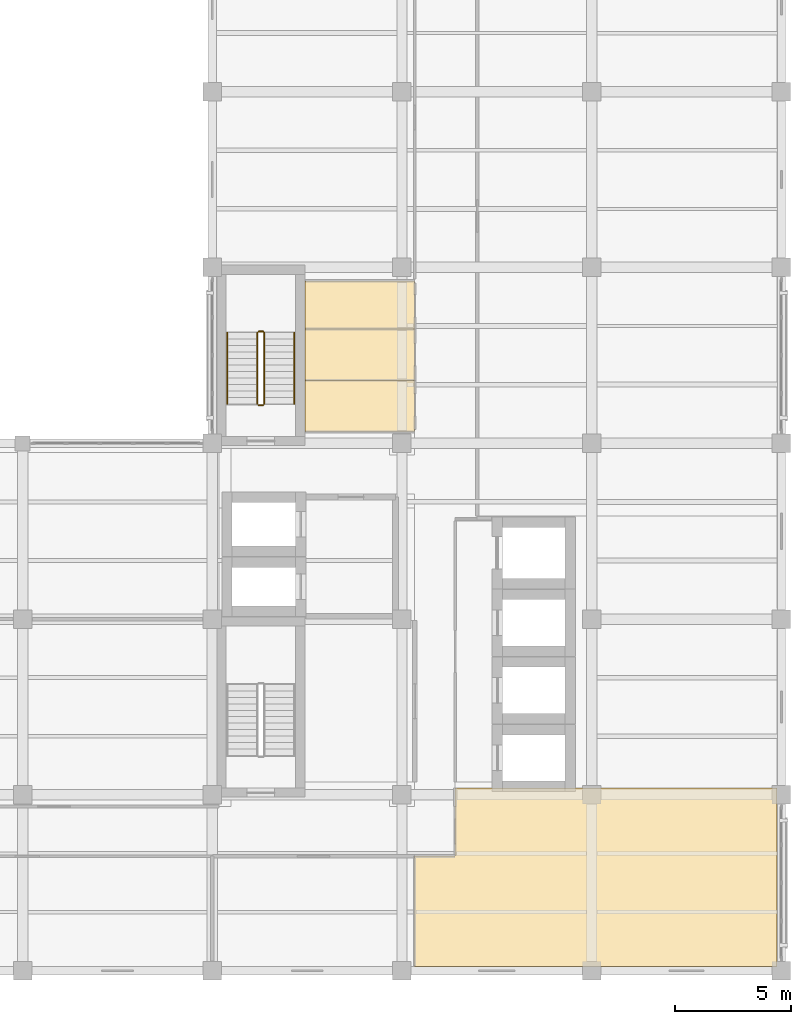
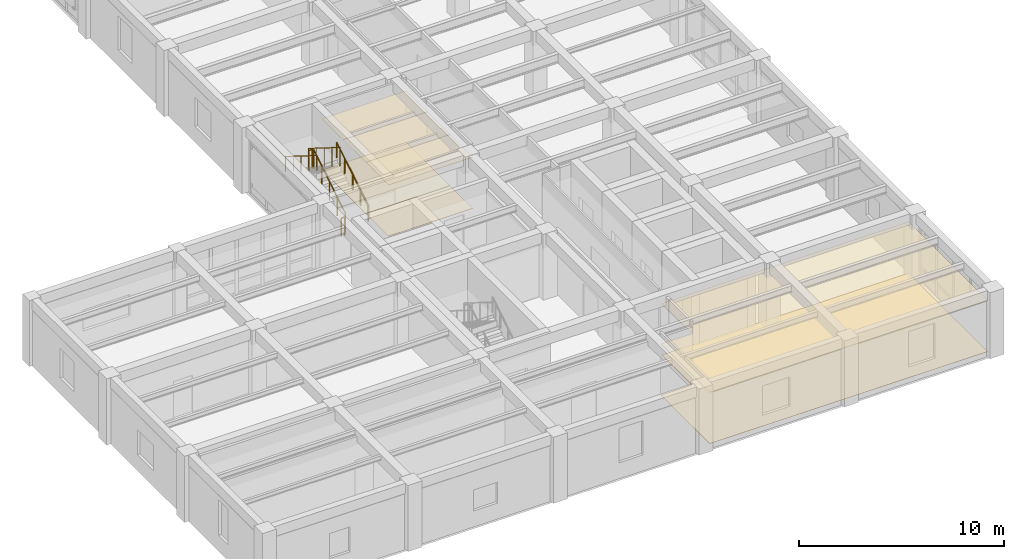
# One storey, part 13 of 14: 8 coverings, 6 railings.
"""IFC4 building model written with IfcOpenShell, lengths in metres."""

from ifc_helpers import new_model, si_unit, direction, frame, origin, origin_2d, place, context, subcontext, project, spatial, polyline, circle, outline, extrude, material, layer, layer_set, type_object, element, save


model = new_model("IFC4")

# Units and contexts
model_context = context("Model", 3, precision=1e-05, world=origin(), true_north=direction((0.0, 1.0)))
body_context = subcontext(model_context, "Body", "Model", "MODEL_VIEW")
ifc_project = project(units=[si_unit("LENGTHUNIT", "METRE"), si_unit("AREAUNIT", "SQUARE_METRE"), si_unit("VOLUMEUNIT", "CUBIC_METRE"), si_unit("PLANEANGLEUNIT", "RADIAN"), si_unit("MASSUNIT", "GRAM", prefix="KILO")], contexts=[model_context])

# Site, building, storey
site_placement = place(None, origin())
site = spatial("IfcSite", under=ifc_project, at=site_placement, CompositionType="ELEMENT")
building_placement = place(site_placement, origin())
building = spatial("IfcBuilding", under=site, at=building_placement, Name="Qandaris Square Conservatory and Botanical Centre", CompositionType="ELEMENT")
storey_placement = place(building_placement, frame((0.0, 0.0, 40.800048828125)))
storey = spatial("IfcBuildingStorey", under=building, at=storey_placement, Name="L09", CompositionType="ELEMENT", Elevation=40.800048828125)

# Coverings
ifc_material_1 = material(Name="Gypsum Plasterboard", Category="gypsum")
ifc_layer_1 = layer(ifc_material_1, 0.02490234375)
ifc_layer_set_1 = layer_set([ifc_layer_1], Name="Gypsum Plasterboard")
covering_type_1 = type_object("IfcCoveringType", Name="Perforated Acoustic Lab Ceiling Tile", PredefinedType="CEILING", material=ifc_layer_set_1)
covering_1_placement = place(storey_placement, frame((0.0, 0.0, 3.050048828125)))
element("IfcCovering", 1, at=covering_1_placement, inside=storey, type_object=covering_type_1, Name="Accessible Toilet L09 Ceiling", PredefinedType="CEILING", context=body_context, shape_type="SweptSolid", body=[
    extrude(outline(polyline([(147.949951171875, 42.1201171875), (147.949951171875, 39.89990234375), (143.199951171875, 39.89990234375), (143.199951171875, 42.1201171875), (147.949951171875, 42.1201171875)])), origin(), (0.0, 0.0, 1.0), 0.02490234375),
])
covering_2_placement = place(storey_placement, frame((0.0, 0.0, 3.050048828125)))
element("IfcCovering", 2, at=covering_2_placement, inside=storey, type_object=covering_type_1, Name="Staff Male Toilet L09 Ceiling", PredefinedType="CEILING", context=body_context, shape_type="SweptSolid", body=[
    extrude(outline(polyline([(147.949951171875, 44.340087890625), (147.949951171875, 42.1201171875), (143.199951171875, 42.1201171875), (143.199951171875, 44.340087890625), (147.949951171875, 44.340087890625)])), origin(), (0.0, 0.0, 1.0), 0.02490234375),
])
covering_3_placement = place(storey_placement, frame((0.0, 0.0, 3.050048828125)))
element("IfcCovering", 3, at=covering_3_placement, inside=storey, type_object=covering_type_1, Name="Staff Female Toilet L09 Ceiling", PredefinedType="CEILING", context=body_context, shape_type="SweptSolid", body=[
    extrude(outline(polyline([(147.949951171875, 46.419921875), (147.949951171875, 44.340087890625), (143.199951171875, 44.340087890625), (143.199951171875, 46.419921875), (147.949951171875, 46.419921875)])), origin(), (0.0, 0.0, 1.0), 0.02490234375),
])
covering_4_placement = place(storey_placement, frame((0.0, 0.0, 3.050048828125)))
element("IfcCovering", 4, at=covering_4_placement, inside=storey, type_object=covering_type_1, Name="Floor L09 Instrument and Balance Room Ceiling", PredefinedType="CEILING", context=body_context, shape_type="SweptSolid", body=[
    extrude(outline(polyline([(147.949951171875, 21.550048828125), (149.699951171875, 21.550048828125), (149.699951171875, 23.699951171875), (149.699951171875, 24.5), (163.6201171875, 24.5), (163.6201171875, 16.780029296875), (147.949951171875, 16.780029296875), (147.949951171875, 21.550048828125)])), origin(), (0.0, 0.0, 1.0), 0.02490234375),
])
ifc_material_2 = material(Name="Epoxy Resin Screed", Category="finish")
ifc_layer_2 = layer(ifc_material_2, 0.014892578125)
ifc_layer_set_2 = layer_set([ifc_layer_2], Name="Epoxy Resin Screed")
covering_type_2 = type_object("IfcCoveringType", Name="Seamless Epoxy Laboratory Flooring", PredefinedType="FLOORING", material=ifc_layer_set_2)
covering_5_placement = place(storey_placement, origin())
element("IfcCovering", 5, at=covering_5_placement, inside=storey, type_object=covering_type_2, Name="Accessible Toilet L09 Flooring", PredefinedType="FLOORING", context=body_context, shape_type="SweptSolid", body=[
    extrude(outline(polyline([(147.949951171875, 42.1201171875), (147.949951171875, 39.89990234375), (143.199951171875, 39.89990234375), (143.199951171875, 42.1201171875), (147.949951171875, 42.1201171875)])), origin(), (0.0, 0.0, 1.0), 0.014892578125),
])
covering_6_placement = place(storey_placement, origin())
element("IfcCovering", 6, at=covering_6_placement, inside=storey, type_object=covering_type_2, Name="Staff Male Toilet L09 Flooring", PredefinedType="FLOORING", context=body_context, shape_type="SweptSolid", body=[
    extrude(outline(polyline([(147.949951171875, 44.340087890625), (147.949951171875, 42.1201171875), (143.199951171875, 42.1201171875), (143.199951171875, 44.340087890625), (147.949951171875, 44.340087890625)])), origin(), (0.0, 0.0, 1.0), 0.014892578125),
])
covering_7_placement = place(storey_placement, origin())
element("IfcCovering", 7, at=covering_7_placement, inside=storey, type_object=covering_type_2, Name="Staff Female Toilet L09 Flooring", PredefinedType="FLOORING", context=body_context, shape_type="SweptSolid", body=[
    extrude(outline(polyline([(147.949951171875, 46.419921875), (147.949951171875, 44.340087890625), (143.199951171875, 44.340087890625), (143.199951171875, 46.419921875), (147.949951171875, 46.419921875)])), origin(), (0.0, 0.0, 1.0), 0.014892578125),
])
covering_8_placement = place(storey_placement, origin())
element("IfcCovering", 8, at=covering_8_placement, inside=storey, type_object=covering_type_2, Name="Floor L09 Instrument and Balance Room Flooring", PredefinedType="FLOORING", context=body_context, shape_type="SweptSolid", body=[
    extrude(outline(polyline([(147.949951171875, 21.550048828125), (149.699951171875, 21.550048828125), (149.699951171875, 23.699951171875), (149.699951171875, 24.5), (163.6201171875, 24.5), (163.6201171875, 16.780029296875), (147.949951171875, 16.780029296875), (147.949951171875, 21.550048828125)])), origin(), (0.0, 0.0, 1.0), 0.014892578125),
])

# Railings
ifc_material_3 = material(Name="Stainless Steel", Category="steel")
railing_type_1 = type_object("IfcRailingType", Name="Stair Tubular Handrail 920mm", PredefinedType="HANDRAIL", material=ifc_material_3)
railing_1_placement = place(storey_placement, frame((142.75, 41.10009765625, 0.349853515625)))
element("IfcRailing", 9, at=railing_1_placement, inside=storey, type_object=railing_type_1, Name="L09 ST-2 stair handrail 1", PredefinedType="HANDRAIL", context=body_context, shape_type="SweptSolid", body=[
    extrude(circle(Radius=0.02392578125, at=origin_2d()), frame((0.0, 0.0, 0.89599609375), z_axis=(0.0, 0.847979421464, 0.530029150871), x_axis=(-1.0, 0.0, 0.0)), (0.0, 0.0, 1.0), 3.632080078125),
    extrude(circle(Radius=0.02099609375, at=origin_2d()), origin(), (0.0, 0.0, 1.0), 0.871826171875),
    extrude(circle(Radius=0.02099609375, at=origin_2d()), frame((0.0, 0.77001953125, 0.481201171875)), (0.0, 0.0, 1.0), 0.871826171875),
    extrude(circle(Radius=0.02099609375, at=origin_2d()), frame((0.0, 1.5400390625, 0.96240234375)), (0.0, 0.0, 1.0), 0.871826171875),
    extrude(circle(Radius=0.02099609375, at=origin_2d()), frame((0.0, 2.309814453125, 1.44384765625)), (0.0, 0.0, 1.0), 0.871826171875),
    extrude(circle(Radius=0.02099609375, at=origin_2d()), frame((0.0, 3.079833984375, 1.925048828125)), (0.0, 0.0, 1.0), 0.871826171875),
])
railing_2_placement = place(storey_placement, frame((139.85009765625, 44.179931640625, 2.449951171875)))
element("IfcRailing", 10, at=railing_2_placement, inside=storey, type_object=railing_type_1, Name="L09 ST-2 stair handrail 2", PredefinedType="HANDRAIL", context=body_context, shape_type="SweptSolid", body=[
    extrude(circle(Radius=0.02392578125, at=origin_2d()), frame((0.0, 0.0, 0.89599609375), z_axis=(0.0, -0.847979421464, 0.530029150871), x_axis=(1.0, 0.0, 0.0)), (0.0, 0.0, 1.0), 3.632080078125),
    extrude(circle(Radius=0.02099609375, at=origin_2d()), origin(), (0.0, 0.0, 1.0), 0.871826171875),
    extrude(circle(Radius=0.02099609375, at=origin_2d()), frame((0.0, -0.77001953125, 0.481201171875)), (0.0, 0.0, 1.0), 0.871826171875),
    extrude(circle(Radius=0.02099609375, at=origin_2d()), frame((0.0, -1.5400390625, 0.96240234375)), (0.0, 0.0, 1.0), 0.871826171875),
    extrude(circle(Radius=0.02099609375, at=origin_2d()), frame((0.0, -2.309814453125, 1.44384765625)), (0.0, 0.0, 1.0), 0.871826171875),
    extrude(circle(Radius=0.02099609375, at=origin_2d()), frame((0.0, -3.079833984375, 1.925048828125)), (0.0, 0.0, 1.0), 0.871826171875),
])
railing_type_2 = type_object("IfcRailingType", Name="Stairwell & Atrium Guardrail 1120mm", PredefinedType="GUARDRAIL", material=ifc_material_3)
railing_3_placement = place(storey_placement, frame((141.449951171875, 41.10009765625, 0.175048828125)))
element("IfcRailing", 11, at=railing_3_placement, inside=storey, type_object=railing_type_2, Name="L09 ST-2 stair guard 1", PredefinedType="GUARDRAIL", context=body_context, shape_type="SweptSolid", body=[
    extrude(circle(Radius=0.02392578125, at=origin_2d()), frame((0.0, 0.0, 1.09619140625), z_axis=(0.0, 0.848009633417, 0.529980812513), x_axis=(-1.0, 0.0, 0.0)), (0.0, 0.0, 1.0), 3.6318359375),
    extrude(circle(Radius=0.02099609375, at=origin_2d()), origin(), (0.0, 0.0, 1.0), 1.072021484375),
    extrude(circle(Radius=0.02099609375, at=origin_2d()), frame((0.0, 0.77001953125, 0.481201171875)), (0.0, 0.0, 1.0), 1.072021484375),
    extrude(circle(Radius=0.02099609375, at=origin_2d()), frame((0.0, 1.5400390625, 0.96240234375)), (0.0, 0.0, 1.0), 1.072021484375),
    extrude(circle(Radius=0.02099609375, at=origin_2d()), frame((0.0, 2.309814453125, 1.443603515625)), (0.0, 0.0, 1.0), 1.072021484375),
    extrude(circle(Radius=0.02099609375, at=origin_2d()), frame((0.0, 3.079833984375, 1.9248046875)), (0.0, 0.0, 1.0), 1.072021484375),
])
railing_4_placement = place(storey_placement, frame((141.39990234375, 44.22998046875, 2.099853515625)))
element("IfcRailing", 12, at=railing_4_placement, inside=storey, type_object=railing_type_2, Name="L09 ST-2 stair guard 2", PredefinedType="GUARDRAIL", context=body_context, shape_type="SweptSolid", body=[
    extrude(circle(Radius=0.02392578125, at=origin_2d()), frame((0.0, 0.0, 1.09619140625), z_axis=(-1.0, 0.0, 0.0), x_axis=(0.0, -1.0, 0.0)), (0.0, 0.0, 1.0), 0.199951171875),
    extrude(circle(Radius=0.02099609375, at=origin_2d()), origin(), (0.0, 0.0, 1.0), 1.072021484375),
    extrude(circle(Radius=0.02099609375, at=origin_2d()), frame((-0.199951171875, 0.0, 0.0)), (0.0, 0.0, 1.0), 1.072021484375),
])
railing_5_placement = place(storey_placement, frame((141.14990234375, 44.179931640625, 2.27490234375)))
element("IfcRailing", 13, at=railing_5_placement, inside=storey, type_object=railing_type_2, Name="L09 ST-2 stair guard 3", PredefinedType="GUARDRAIL", context=body_context, shape_type="SweptSolid", body=[
    extrude(circle(Radius=0.02392578125, at=origin_2d()), frame((0.0, 0.0, 1.09619140625), z_axis=(0.0, -0.847979421464, 0.530029150871), x_axis=(1.0, 0.0, 0.0)), (0.0, 0.0, 1.0), 3.632080078125),
    extrude(circle(Radius=0.02099609375, at=origin_2d()), origin(), (0.0, 0.0, 1.0), 1.072021484375),
    extrude(circle(Radius=0.02099609375, at=origin_2d()), frame((0.0, -0.77001953125, 0.481201171875)), (0.0, 0.0, 1.0), 1.072021484375),
    extrude(circle(Radius=0.02099609375, at=origin_2d()), frame((0.0, -1.5400390625, 0.96240234375)), (0.0, 0.0, 1.0), 1.072021484375),
    extrude(circle(Radius=0.02099609375, at=origin_2d()), frame((0.0, -2.309814453125, 1.44384765625)), (0.0, 0.0, 1.0), 1.072021484375),
    extrude(circle(Radius=0.02099609375, at=origin_2d()), frame((0.0, -3.079833984375, 1.925048828125)), (0.0, 0.0, 1.0), 1.072021484375),
])
railing_6_placement = place(storey_placement, frame((141.39990234375, 41.050048828125, 0.0)))
element("IfcRailing", 14, at=railing_6_placement, inside=storey, type_object=railing_type_2, Name="L09 ST-2 stair guard 4", PredefinedType="GUARDRAIL", context=body_context, shape_type="SweptSolid", body=[
    extrude(circle(Radius=0.02392578125, at=origin_2d()), frame((0.0, 0.0, 1.09619140625), z_axis=(-1.0, 0.0, 0.0), x_axis=(0.0, -1.0, 0.0)), (0.0, 0.0, 1.0), 0.199951171875),
    extrude(circle(Radius=0.02099609375, at=origin_2d()), origin(), (0.0, 0.0, 1.0), 1.072021484375),
    extrude(circle(Radius=0.02099609375, at=origin_2d()), frame((-0.199951171875, 0.0, 0.0)), (0.0, 0.0, 1.0), 1.072021484375),
])

save(model, "model.ifc")
